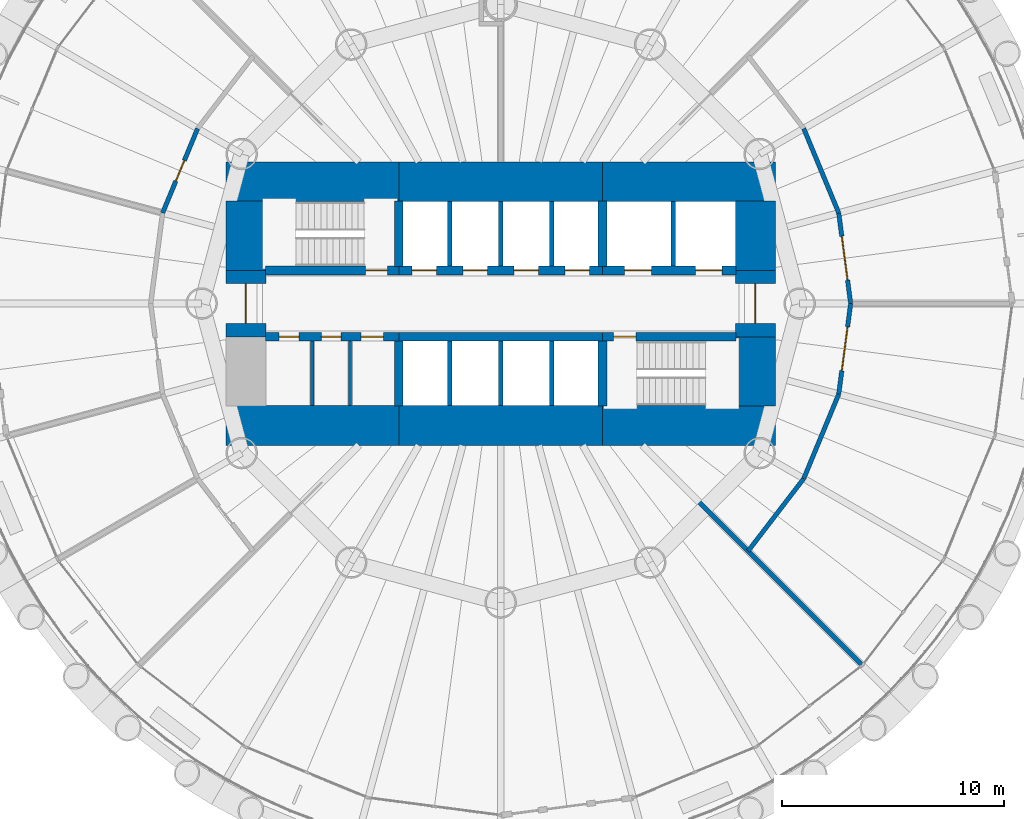
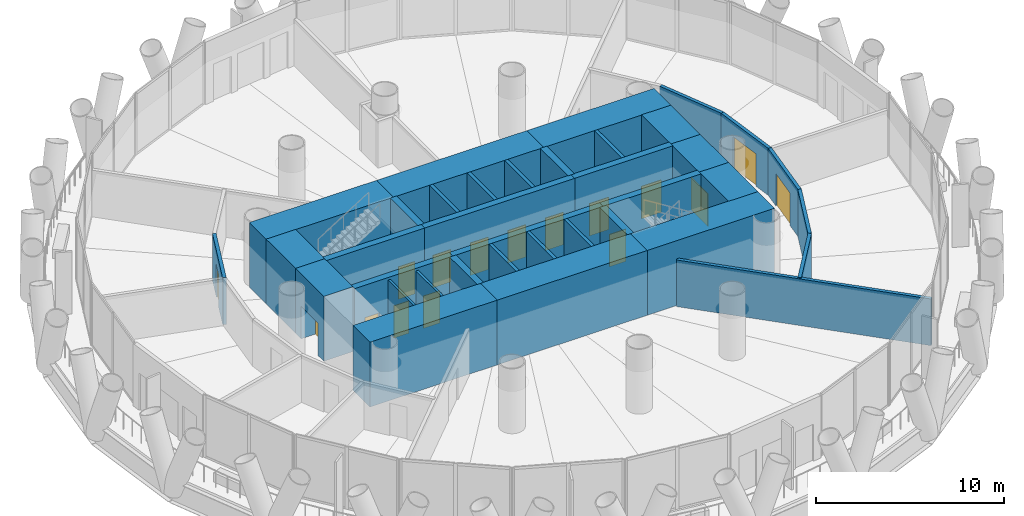
# One storey, part 9 of 14: 37 walls, 16 doors, 16 openings.
"""IFC4 building model written with IfcOpenShell, lengths in metres."""

from ifc_helpers import new_model, si_unit, direction, frame, frame_2d, origin, place, context, subcontext, project, spatial, rectangle, extrude, material, layer, layer_set, type_object, element, fill, save


model = new_model("IFC4")

# Units and contexts
model_context = context("Model", 3, precision=1e-05, world=origin(), true_north=direction((0.0, 1.0)))
body_context = subcontext(model_context, "Body", "Model", "MODEL_VIEW")
ifc_project = project(units=[si_unit("LENGTHUNIT", "METRE"), si_unit("AREAUNIT", "SQUARE_METRE"), si_unit("VOLUMEUNIT", "CUBIC_METRE"), si_unit("PLANEANGLEUNIT", "RADIAN"), si_unit("MASSUNIT", "GRAM", prefix="KILO")], contexts=[model_context])

# Site, building, storey
site_placement = place(None, origin())
site = spatial("IfcSite", under=ifc_project, at=site_placement, CompositionType="ELEMENT")
building_placement = place(site_placement, origin())
building = spatial("IfcBuilding", under=site, at=building_placement, Name="Qaws Media Tower", CompositionType="ELEMENT")
storey_placement = place(building_placement, frame((0.0, 0.0, 76.39990234375)))
storey = spatial("IfcBuildingStorey", under=building, at=storey_placement, Name="L16", CompositionType="ELEMENT", Elevation=76.39990234375)

# Wall, opening, door
ifc_material_1 = material(Name="Concrete C60/75", Category="concrete")
ifc_layer_1 = layer(ifc_material_1, 0.39990234375)
ifc_layer_set_1 = layer_set([ifc_layer_1], Name="Core inner wall 400")
wall_type_1 = type_object("IfcWallType", Name="Core inner wall 400", PredefinedType="SHEAR", material=ifc_layer_set_1)
wall_1_placement = place(storey_placement, frame((49.3798828125, 51.5, 0.0), z_axis=(0.0, 0.0, 1.0), x_axis=(1.0, 0.0, 0.0)))
wall_1 = element("IfcWall", 1, at=wall_1_placement, inside=storey, type_object=wall_type_1, Name="W311 SW4 core wall SPNW L16", PredefinedType="SHEAR", context=body_context, shape_type="SweptSolid", body=[
    extrude(rectangle(XDim=6.02001953125, YDim=0.39990234375, at=frame_2d((3.010009765625, 0.0))), origin(), (0.0, 0.0, 1.0), 4.2001953125),
])
opening_1_placement = place(wall_1_placement, frame((4.52001953125, 0.0, 0.0)))
opening_1 = element("IfcOpeningElement", 2, at=opening_1_placement, cuts=wall_1, Name="Opening D1", PredefinedType="OPENING", context=body_context, shape_type="SweptSolid", body=[
    extrude(rectangle(XDim=1.0, YDim=2.10009765625, at=frame_2d((0.5, 1.050048828125))), frame((0.0, 0.2099609375, 0.0), z_axis=(0.0, -1.0, 0.0), x_axis=(1.0, 0.0, 0.0)), (0.0, 0.0, 1.0), 0.419921875),
])
ifc_material_2 = material(Name="Steel, fire rated", Category="steel")
door_type_1 = type_object("IfcDoorType", Name="Stair door 1000 FD120", OperationType="SINGLE_SWING_LEFT", PredefinedType="DOOR", material=ifc_material_2)
door_1_placement = place(opening_1_placement, origin())
door_1 = element("IfcDoor", 3, at=door_1_placement, inside=storey, type_object=door_type_1, Name="D1 stair S1 door L16 in wall W311", OperationType="SINGLE_SWING_LEFT", OverallHeight=2.10009765625, OverallWidth=1.0, PredefinedType="DOOR", context=body_context, shape_type="SweptSolid", body=[
    extrude(rectangle(XDim=1.0, YDim=2.10009765625, at=frame_2d((0.5, 1.050048828125))), frame((0.0, 0.02490234375, 0.0), z_axis=(0.0, -1.0, 0.0), x_axis=(1.0, 0.0, 0.0)), (0.0, 0.0, 1.0), 0.050048828125),
])
fill(opening_1, door_1)

# Wall, openings, doors
wall_2_placement = place(storey_placement, frame((55.39990234375, 51.5, 0.0), z_axis=(0.0, 0.0, 1.0), x_axis=(1.0, 0.0, 0.0)))
wall_2 = element("IfcWall", 4, at=wall_2_placement, inside=storey, type_object=wall_type_1, Name="W314 SW4 core wall SPN L16", PredefinedType="SHEAR", context=body_context, shape_type="SweptSolid", body=[
    extrude(rectangle(XDim=9.2001953125, YDim=0.39990234375, at=frame_2d((4.60009765625, 0.0))), origin(), (0.0, 0.0, 1.0), 4.2001953125),
])
opening_2_placement = place(wall_2_placement, frame((0.60009765625, 0.0, 0.0)))
opening_2 = element("IfcOpeningElement", 5, at=opening_2_placement, cuts=wall_2, Name="Opening LD", PredefinedType="OPENING", context=body_context, shape_type="SweptSolid", body=[
    extrude(rectangle(XDim=1.10009765625, YDim=2.10009765625, at=frame_2d((0.550048828125, 1.050048828125))), frame((0.0, 0.2099609375, 0.0), z_axis=(0.0, -1.0, 0.0), x_axis=(1.0, 0.0, 0.0)), (0.0, 0.0, 1.0), 0.419921875),
])
opening_3_placement = place(wall_2_placement, frame((2.89990234375, 0.0, 0.0)))
opening_3 = element("IfcOpeningElement", 6, at=opening_3_placement, cuts=wall_2, Name="Opening LD", PredefinedType="OPENING", context=body_context, shape_type="SweptSolid", body=[
    extrude(rectangle(XDim=1.10009765625, YDim=2.10009765625, at=frame_2d((0.550048828125, 1.050048828125))), frame((0.0, 0.2099609375, 0.0), z_axis=(0.0, -1.0, 0.0), x_axis=(1.0, 0.0, 0.0)), (0.0, 0.0, 1.0), 0.419921875),
])
opening_4_placement = place(wall_2_placement, frame((5.199951171875, 0.0, 0.0)))
opening_4 = element("IfcOpeningElement", 7, at=opening_4_placement, cuts=wall_2, Name="Opening LD", PredefinedType="OPENING", context=body_context, shape_type="SweptSolid", body=[
    extrude(rectangle(XDim=1.10009765625, YDim=2.10009765625, at=frame_2d((0.550048828125, 1.050048828125))), frame((0.0, 0.2099609375, 0.0), z_axis=(0.0, -1.0, 0.0), x_axis=(1.0, 0.0, 0.0)), (0.0, 0.0, 1.0), 0.419921875),
])
opening_5_placement = place(wall_2_placement, frame((7.5, 0.0, 0.0)))
opening_5 = element("IfcOpeningElement", 8, at=opening_5_placement, cuts=wall_2, Name="Opening LD", PredefinedType="OPENING", context=body_context, shape_type="SweptSolid", body=[
    extrude(rectangle(XDim=1.10009765625, YDim=2.10009765625, at=frame_2d((0.550048828125, 1.050048828125))), frame((0.0, 0.2099609375, 0.0), z_axis=(0.0, -1.0, 0.0), x_axis=(1.0, 0.0, 0.0)), (0.0, 0.0, 1.0), 0.419921875),
])
ifc_material_3 = material(Name="Steel, fire rated", Category="steel")
door_type_2 = type_object("IfcDoorType", Name="Lift landing door 1100", OperationType="SLIDING_TO_LEFT", PredefinedType="DOOR", material=ifc_material_3)
door_2_placement = place(opening_2_placement, origin())
door_2 = element("IfcDoor", 9, at=door_2_placement, inside=storey, type_object=door_type_2, Name="P1 landing door L16 in wall W314", OperationType="SLIDING_TO_LEFT", OverallHeight=2.10009765625, OverallWidth=1.10009765625, PredefinedType="DOOR", context=body_context, shape_type="SweptSolid", body=[
    extrude(rectangle(XDim=1.10009765625, YDim=2.10009765625, at=frame_2d((0.550048828125, 1.050048828125))), frame((0.0, 0.02490234375, 0.0), z_axis=(0.0, -1.0, 0.0), x_axis=(1.0, 0.0, 0.0)), (0.0, 0.0, 1.0), 0.050048828125),
])
fill(opening_2, door_2)
door_3_placement = place(opening_3_placement, origin())
door_3 = element("IfcDoor", 10, at=door_3_placement, inside=storey, type_object=door_type_2, Name="P2 landing door L16 in wall W314", OperationType="SLIDING_TO_LEFT", OverallHeight=2.10009765625, OverallWidth=1.10009765625, PredefinedType="DOOR", context=body_context, shape_type="SweptSolid", body=[
    extrude(rectangle(XDim=1.10009765625, YDim=2.10009765625, at=frame_2d((0.550048828125, 1.050048828125))), frame((0.0, 0.02490234375, 0.0), z_axis=(0.0, -1.0, 0.0), x_axis=(1.0, 0.0, 0.0)), (0.0, 0.0, 1.0), 0.050048828125),
])
fill(opening_3, door_3)
door_4_placement = place(opening_4_placement, origin())
door_4 = element("IfcDoor", 11, at=door_4_placement, inside=storey, type_object=door_type_2, Name="P3 landing door L16 in wall W314", OperationType="SLIDING_TO_LEFT", OverallHeight=2.10009765625, OverallWidth=1.10009765625, PredefinedType="DOOR", context=body_context, shape_type="SweptSolid", body=[
    extrude(rectangle(XDim=1.10009765625, YDim=2.10009765625, at=frame_2d((0.550048828125, 1.050048828125))), frame((0.0, 0.02490234375, 0.0), z_axis=(0.0, -1.0, 0.0), x_axis=(1.0, 0.0, 0.0)), (0.0, 0.0, 1.0), 0.050048828125),
])
fill(opening_4, door_4)
door_5_placement = place(opening_5_placement, origin())
door_5 = element("IfcDoor", 12, at=door_5_placement, inside=storey, type_object=door_type_2, Name="P4 landing door L16 in wall W314", OperationType="SLIDING_TO_LEFT", OverallHeight=2.10009765625, OverallWidth=1.10009765625, PredefinedType="DOOR", context=body_context, shape_type="SweptSolid", body=[
    extrude(rectangle(XDim=1.10009765625, YDim=2.10009765625, at=frame_2d((0.550048828125, 1.050048828125))), frame((0.0, 0.02490234375, 0.0), z_axis=(0.0, -1.0, 0.0), x_axis=(1.0, 0.0, 0.0)), (0.0, 0.0, 1.0), 0.050048828125),
])
fill(opening_5, door_5)

wall_3_placement = place(storey_placement, frame((64.60009765625, 51.5, 0.0), z_axis=(0.0, 0.0, 1.0), x_axis=(1.0, 0.0, 0.0)))
wall_3 = element("IfcWall", 13, at=wall_3_placement, inside=storey, type_object=wall_type_1, Name="W318 SW4 core wall SPNE L16", PredefinedType="SHEAR", context=body_context, shape_type="SweptSolid", body=[
    extrude(rectangle(XDim=6.02001953125, YDim=0.39990234375, at=frame_2d((3.010009765625, 0.0))), origin(), (0.0, 0.0, 1.0), 4.2001953125),
])
opening_6_placement = place(wall_3_placement, frame((1.0, 0.0, 0.0)))
opening_6 = element("IfcOpeningElement", 14, at=opening_6_placement, cuts=wall_3, Name="Opening LD2", PredefinedType="OPENING", context=body_context, shape_type="SweptSolid", body=[
    extrude(rectangle(XDim=1.199951171875, YDim=2.10009765625, at=frame_2d((0.60009765625, 1.050048828125))), frame((0.0, 0.2099609375, 0.0), z_axis=(0.0, -1.0, 0.0), x_axis=(1.0, 0.0, 0.0)), (0.0, 0.0, 1.0), 0.419921875),
])
opening_7_placement = place(wall_3_placement, frame((4.199951171875, 0.0, 0.0)))
opening_7 = element("IfcOpeningElement", 15, at=opening_7_placement, cuts=wall_3, Name="Opening LD2", PredefinedType="OPENING", context=body_context, shape_type="SweptSolid", body=[
    extrude(rectangle(XDim=1.199951171875, YDim=2.10009765625, at=frame_2d((0.60009765625, 1.050048828125))), frame((0.0, 0.2099609375, 0.0), z_axis=(0.0, -1.0, 0.0), x_axis=(1.0, 0.0, 0.0)), (0.0, 0.0, 1.0), 0.419921875),
])
ifc_material_4 = material(Name="Steel, fire rated", Category="steel")
door_type_3 = type_object("IfcDoorType", Name="Lift landing door 1200", OperationType="SLIDING_TO_LEFT", PredefinedType="DOOR", material=ifc_material_4)
door_6_placement = place(opening_6_placement, origin())
door_6 = element("IfcDoor", 16, at=door_6_placement, inside=storey, type_object=door_type_3, Name="FL1 landing door L16 in wall W318", OperationType="SLIDING_TO_LEFT", OverallHeight=2.10009765625, OverallWidth=1.199951171875, PredefinedType="DOOR", context=body_context, shape_type="SweptSolid", body=[
    extrude(rectangle(XDim=1.199951171875, YDim=2.10009765625, at=frame_2d((0.60009765625, 1.050048828125))), frame((0.0, 0.02490234375, 0.0), z_axis=(0.0, -1.0, 0.0), x_axis=(1.0, 0.0, 0.0)), (0.0, 0.0, 1.0), 0.050048828125),
])
fill(opening_6, door_6)
door_7_placement = place(opening_7_placement, origin())
door_7 = element("IfcDoor", 17, at=door_7_placement, inside=storey, type_object=door_type_3, Name="FL2 landing door L16 in wall W318", OperationType="SLIDING_TO_LEFT", OverallHeight=2.10009765625, OverallWidth=1.199951171875, PredefinedType="DOOR", context=body_context, shape_type="SweptSolid", body=[
    extrude(rectangle(XDim=1.199951171875, YDim=2.10009765625, at=frame_2d((0.60009765625, 1.050048828125))), frame((0.0, 0.02490234375, 0.0), z_axis=(0.0, -1.0, 0.0), x_axis=(1.0, 0.0, 0.0)), (0.0, 0.0, 1.0), 0.050048828125),
])
fill(opening_7, door_7)

wall_4_placement = place(storey_placement, frame((49.3798828125, 48.5, 0.0), z_axis=(0.0, 0.0, 1.0), x_axis=(1.0, 0.0, 0.0)))
wall_4 = element("IfcWall", 18, at=wall_4_placement, inside=storey, type_object=wall_type_1, Name="W310 SW4 core wall SPSW L16", PredefinedType="SHEAR", context=body_context, shape_type="SweptSolid", body=[
    extrude(rectangle(XDim=6.02001953125, YDim=0.39990234375, at=frame_2d((3.010009765625, 0.0))), origin(), (0.0, 0.0, 1.0), 4.2001953125),
])
opening_8_placement = place(wall_4_placement, frame((0.6201171875, 0.0, 0.0)))
opening_8 = element("IfcOpeningElement", 19, at=opening_8_placement, cuts=wall_4, Name="Opening D3", PredefinedType="OPENING", context=body_context, shape_type="SweptSolid", body=[
    extrude(rectangle(XDim=0.89990234375, YDim=2.10009765625, at=frame_2d((0.449951171875, 1.050048828125))), frame((0.0, 0.2099609375, 0.0), z_axis=(0.0, -1.0, 0.0), x_axis=(1.0, 0.0, 0.0)), (0.0, 0.0, 1.0), 0.419921875),
])
opening_9_placement = place(wall_4_placement, frame((2.52001953125, 0.0, 0.0)))
opening_9 = element("IfcOpeningElement", 20, at=opening_9_placement, cuts=wall_4, Name="Opening D3", PredefinedType="OPENING", context=body_context, shape_type="SweptSolid", body=[
    extrude(rectangle(XDim=0.89990234375, YDim=2.10009765625, at=frame_2d((0.449951171875, 1.050048828125))), frame((0.0, 0.2099609375, 0.0), z_axis=(0.0, -1.0, 0.0), x_axis=(1.0, 0.0, 0.0)), (0.0, 0.0, 1.0), 0.419921875),
])
opening_10_placement = place(wall_4_placement, frame((4.320068359375, 0.0, 0.0)))
opening_10 = element("IfcOpeningElement", 21, at=opening_10_placement, cuts=wall_4, Name="Opening D4", PredefinedType="OPENING", context=body_context, shape_type="SweptSolid", body=[
    extrude(rectangle(XDim=1.0, YDim=2.10009765625, at=frame_2d((0.5, 1.050048828125))), frame((0.0, 0.2099609375, 0.0), z_axis=(0.0, -1.0, 0.0), x_axis=(1.0, 0.0, 0.0)), (0.0, 0.0, 1.0), 0.419921875),
])
ifc_material_5 = material(Name="Timber veneered", Category="wood")
door_type_4 = type_object("IfcDoorType", Name="Accessible WC door 1000", OperationType="SLIDING_TO_LEFT", PredefinedType="DOOR", material=ifc_material_5)
door_8_placement = place(opening_10_placement, origin())
door_8 = element("IfcDoor", 22, at=door_8_placement, inside=storey, type_object=door_type_4, Name="D4 toilet door 3 L16 in wall W310", OperationType="SLIDING_TO_LEFT", OverallHeight=2.10009765625, OverallWidth=1.0, PredefinedType="DOOR", context=body_context, shape_type="SweptSolid", body=[
    extrude(rectangle(XDim=1.0, YDim=2.10009765625, at=frame_2d((0.5, 1.050048828125))), frame((0.0, 0.02490234375, 0.0), z_axis=(0.0, -1.0, 0.0), x_axis=(1.0, 0.0, 0.0)), (0.0, 0.0, 1.0), 0.050048828125),
])
fill(opening_10, door_8)
ifc_material_6 = material(Name="Timber veneered", Category="wood")
door_type_5 = type_object("IfcDoorType", Name="Toilet door 900", OperationType="SINGLE_SWING_RIGHT", PredefinedType="DOOR", material=ifc_material_6)
door_9_placement = place(opening_8_placement, origin())
door_9 = element("IfcDoor", 23, at=door_9_placement, inside=storey, type_object=door_type_5, Name="D3 toilet door 1 L16 in wall W310", OperationType="SINGLE_SWING_RIGHT", OverallHeight=2.10009765625, OverallWidth=0.89990234375, PredefinedType="DOOR", context=body_context, shape_type="SweptSolid", body=[
    extrude(rectangle(XDim=0.89990234375, YDim=2.10009765625, at=frame_2d((0.449951171875, 1.050048828125))), frame((0.0, 0.02490234375, 0.0), z_axis=(0.0, -1.0, 0.0), x_axis=(1.0, 0.0, 0.0)), (0.0, 0.0, 1.0), 0.050048828125),
])
fill(opening_8, door_9)
door_10_placement = place(opening_9_placement, origin())
door_10 = element("IfcDoor", 24, at=door_10_placement, inside=storey, type_object=door_type_5, Name="D3 toilet door 2 L16 in wall W310", OperationType="SINGLE_SWING_RIGHT", OverallHeight=2.10009765625, OverallWidth=0.89990234375, PredefinedType="DOOR", context=body_context, shape_type="SweptSolid", body=[
    extrude(rectangle(XDim=0.89990234375, YDim=2.10009765625, at=frame_2d((0.449951171875, 1.050048828125))), frame((0.0, 0.02490234375, 0.0), z_axis=(0.0, -1.0, 0.0), x_axis=(1.0, 0.0, 0.0)), (0.0, 0.0, 1.0), 0.050048828125),
])
fill(opening_9, door_10)

# Wall
wall_5_placement = place(storey_placement, frame((55.39990234375, 48.5, 0.0), z_axis=(0.0, 0.0, 1.0), x_axis=(1.0, 0.0, 0.0)))
element("IfcWall", 25, at=wall_5_placement, inside=storey, type_object=wall_type_1, Name="W313 SW4 core wall SPS L16", PredefinedType="SHEAR", context=body_context, shape_type="SweptSolid", body=[
    extrude(rectangle(XDim=9.2001953125, YDim=0.39990234375, at=frame_2d((4.60009765625, 0.0))), origin(), (0.0, 0.0, 1.0), 4.2001953125),
])

# Wall, opening, door
wall_6_placement = place(storey_placement, frame((64.60009765625, 48.5, 0.0), z_axis=(0.0, 0.0, 1.0), x_axis=(1.0, 0.0, 0.0)))
wall_6 = element("IfcWall", 26, at=wall_6_placement, inside=storey, type_object=wall_type_1, Name="W317 SW4 core wall SPSE L16", PredefinedType="SHEAR", context=body_context, shape_type="SweptSolid", body=[
    extrude(rectangle(XDim=6.02001953125, YDim=0.39990234375, at=frame_2d((3.010009765625, 0.0))), origin(), (0.0, 0.0, 1.0), 4.2001953125),
])
opening_11_placement = place(wall_6_placement, frame((0.5, 0.0, 0.0)))
opening_11 = element("IfcOpeningElement", 27, at=opening_11_placement, cuts=wall_6, Name="Opening D1", PredefinedType="OPENING", context=body_context, shape_type="SweptSolid", body=[
    extrude(rectangle(XDim=1.0, YDim=2.10009765625, at=frame_2d((0.5, 1.050048828125))), frame((0.0, 0.2099609375, 0.0), z_axis=(0.0, -1.0, 0.0), x_axis=(1.0, 0.0, 0.0)), (0.0, 0.0, 1.0), 0.419921875),
])
door_11_placement = place(opening_11_placement, origin())
door_11 = element("IfcDoor", 28, at=door_11_placement, inside=storey, type_object=door_type_1, Name="D1 stair S2 door L16 in wall W317", OperationType="SINGLE_SWING_LEFT", OverallHeight=2.10009765625, OverallWidth=1.0, PredefinedType="DOOR", context=body_context, shape_type="SweptSolid", body=[
    extrude(rectangle(XDim=1.0, YDim=2.10009765625, at=frame_2d((0.5, 1.050048828125))), frame((0.0, 0.02490234375, 0.0), z_axis=(0.0, -1.0, 0.0), x_axis=(1.0, 0.0, 0.0)), (0.0, 0.0, 1.0), 0.050048828125),
])
fill(opening_11, door_11)

# Walls
for number, where, z_axis, x_axis, name in (
    (29, (55.39990234375, 51.679931640625, 0.0), (0.0, 0.0, 1.0), (0.0, 1.0, 0.0), "W315 SW4 core wall XNW L16"),
    (30, (64.60009765625, 51.679931640625, 0.0), (0.0, 0.0, 1.0), (0.0, 1.0, 0.0), "W319 SW4 core wall XNE L16"),
    (31, (55.39990234375, 48.320068359375, 0.0), (0.0, 0.0, 1.0), (0.0, -1.0, 0.0), "W312 SW4 core wall XSW L16"),
    (32, (64.60009765625, 48.320068359375, 0.0), (0.0, 0.0, 1.0), (0.0, -1.0, 0.0), "W316 SW4 core wall XSE L16"),
):
    element("IfcWall", number, at=place(storey_placement, frame(where, z_axis=z_axis, x_axis=x_axis)), inside=storey, type_object=wall_type_1, Name=name, PredefinedType="SHEAR", context=body_context, shape_type="SweptSolid", body=[
        extrude(rectangle(XDim=2.940185546875, YDim=0.39990234375, at=frame_2d((1.47021484375, 0.0))), origin(), (0.0, 0.0, 1.0), 4.2001953125),
    ])
ifc_material_7 = material(Name="Concrete C60/75", Category="concrete")
ifc_layer_2 = layer(ifc_material_7, 1.800048828125)
ifc_layer_set_2 = layer_set([ifc_layer_2], Name="Core wall 1800")
wall_type_2 = type_object("IfcWallType", Name="Core wall 1800", PredefinedType="SHEAR", material=ifc_layer_set_2)
wall_7_placement = place(storey_placement, frame((47.60009765625, 55.5, 0.0), z_axis=(0.0, 0.0, 1.0), x_axis=(1.0, 0.0, 0.0)))
element("IfcWall", 33, at=wall_7_placement, inside=storey, type_object=wall_type_2, Name="W399 SW11 core wall NW L16", PredefinedType="SHEAR", context=body_context, shape_type="SweptSolid", body=[
    extrude(rectangle(XDim=7.7998046875, YDim=1.800048828125, at=frame_2d((3.89990234375, 0.0))), origin(), (0.0, 0.0, 1.0), 4.2001953125),
])
wall_8_placement = place(storey_placement, frame((55.39990234375, 55.5, 0.0), z_axis=(0.0, 0.0, 1.0), x_axis=(1.0, 0.0, 0.0)))
element("IfcWall", 34, at=wall_8_placement, inside=storey, type_object=wall_type_2, Name="W404 SW11 core wall N L16", PredefinedType="SHEAR", context=body_context, shape_type="SweptSolid", body=[
    extrude(rectangle(XDim=9.2001953125, YDim=1.800048828125, at=frame_2d((4.60009765625, 0.0))), origin(), (0.0, 0.0, 1.0), 4.2001953125),
])
for number, where, z_axis, x_axis, name in (
    (35, (64.60009765625, 55.5, 0.0), (0.0, 0.0, 1.0), (1.0, 0.0, 0.0), "W406 SW11 core wall NE L16"),
    (36, (47.60009765625, 44.5, 0.0), (0.0, 0.0, 1.0), (1.0, 0.0, 0.0), "W398 SW11 core wall SW L16"),
):
    element("IfcWall", number, at=place(storey_placement, frame(where, z_axis=z_axis, x_axis=x_axis)), inside=storey, type_object=wall_type_2, Name=name, PredefinedType="SHEAR", context=body_context, shape_type="SweptSolid", body=[
        extrude(rectangle(XDim=7.7998046875, YDim=1.800048828125, at=frame_2d((3.89990234375, 0.0))), origin(), (0.0, 0.0, 1.0), 4.2001953125),
    ])
wall_9_placement = place(storey_placement, frame((55.39990234375, 44.5, 0.0), z_axis=(0.0, 0.0, 1.0), x_axis=(1.0, 0.0, 0.0)))
element("IfcWall", 37, at=wall_9_placement, inside=storey, type_object=wall_type_2, Name="W403 SW11 core wall S L16", PredefinedType="SHEAR", context=body_context, shape_type="SweptSolid", body=[
    extrude(rectangle(XDim=9.2001953125, YDim=1.800048828125, at=frame_2d((4.60009765625, 0.0))), origin(), (0.0, 0.0, 1.0), 4.2001953125),
])
wall_10_placement = place(storey_placement, frame((64.60009765625, 44.5, 0.0), z_axis=(0.0, 0.0, 1.0), x_axis=(1.0, 0.0, 0.0)))
element("IfcWall", 38, at=wall_10_placement, inside=storey, type_object=wall_type_2, Name="W405 SW11 core wall SE L16", PredefinedType="SHEAR", context=body_context, shape_type="SweptSolid", body=[
    extrude(rectangle(XDim=7.7998046875, YDim=1.800048828125, at=frame_2d((3.89990234375, 0.0))), origin(), (0.0, 0.0, 1.0), 4.2001953125),
])
wall_11_placement = place(storey_placement, frame((71.5, 45.3798828125, 0.0), z_axis=(0.0, 0.0, 1.0), x_axis=(0.0, 1.0, 0.0)))
element("IfcWall", 39, at=wall_11_placement, inside=storey, type_object=wall_type_2, Name="W407 SW11 core wall ES L16", PredefinedType="SHEAR", context=body_context, shape_type="SweptSolid", body=[
    extrude(rectangle(XDim=3.1201171875, YDim=1.800048828125, at=frame_2d((1.56005859375, 0.0))), origin(), (0.0, 0.0, 1.0), 4.2001953125),
])

# Wall, opening, door
wall_12_placement = place(storey_placement, frame((71.5, 48.5, 0.0), z_axis=(0.0, 0.0, 1.0), x_axis=(0.0, 1.0, 0.0)))
wall_12 = element("IfcWall", 40, at=wall_12_placement, inside=storey, type_object=wall_type_2, Name="W408 SW11 core wall E L16", PredefinedType="SHEAR", context=body_context, shape_type="SweptSolid", body=[
    extrude(rectangle(XDim=3.0, YDim=1.800048828125, at=frame_2d((1.5, 0.0))), origin(), (0.0, 0.0, 1.0), 4.2001953125),
])
opening_12_placement = place(wall_12_placement, frame((0.60009765625, 0.0, 0.0)))
opening_12 = element("IfcOpeningElement", 41, at=opening_12_placement, cuts=wall_12, Name="Opening D2", PredefinedType="OPENING", context=body_context, shape_type="SweptSolid", body=[
    extrude(rectangle(XDim=1.800048828125, YDim=2.10009765625, at=frame_2d((0.89990234375, 1.050048828125))), frame((0.0, 0.909912109375, 0.0), z_axis=(0.0, -1.0, 0.0), x_axis=(1.0, 0.0, 0.0)), (0.0, 0.0, 1.0), 1.820068359375),
])
ifc_material_8 = material(Name="Steel and glass, fire rated", Category="steel")
door_type_6 = type_object("IfcDoorType", Name="Lobby door pair 1800 FD60", OperationType="DOUBLE_DOOR_DOUBLE_SWING", PredefinedType="DOOR", material=ifc_material_8)
door_12_placement = place(opening_12_placement, origin())
door_12 = element("IfcDoor", 42, at=door_12_placement, inside=storey, type_object=door_type_6, Name="D2 core lobby door E L16 in wall W408", OperationType="DOUBLE_DOOR_DOUBLE_SWING", OverallHeight=2.10009765625, OverallWidth=1.800048828125, PredefinedType="DOOR", context=body_context, shape_type="SweptSolid", body=[
    extrude(rectangle(XDim=1.800048828125, YDim=2.10009765625, at=frame_2d((0.89990234375, 1.050048828125))), frame((0.0, 0.02490234375, 0.0), z_axis=(0.0, -1.0, 0.0), x_axis=(1.0, 0.0, 0.0)), (0.0, 0.0, 1.0), 0.050048828125),
])
fill(opening_12, door_12)

# Wall
wall_13_placement = place(storey_placement, frame((71.5, 51.5, 0.0), z_axis=(0.0, 0.0, 1.0), x_axis=(0.0, 1.0, 0.0)))
element("IfcWall", 43, at=wall_13_placement, inside=storey, type_object=wall_type_2, Name="W409 SW11 core wall EN L16", PredefinedType="SHEAR", context=body_context, shape_type="SweptSolid", body=[
    extrude(rectangle(XDim=3.1201171875, YDim=1.800048828125, at=frame_2d((1.56005859375, 0.0))), origin(), (0.0, 0.0, 1.0), 4.2001953125),
])

# Wall, opening, door
wall_14_placement = place(storey_placement, frame((48.5, 48.5, 0.0), z_axis=(0.0, 0.0, 1.0), x_axis=(0.0, 1.0, 0.0)))
wall_14 = element("IfcWall", 44, at=wall_14_placement, inside=storey, type_object=wall_type_2, Name="W401 SW11 core wall W L16", PredefinedType="SHEAR", context=body_context, shape_type="SweptSolid", body=[
    extrude(rectangle(XDim=3.0, YDim=1.800048828125, at=frame_2d((1.5, 0.0))), origin(), (0.0, 0.0, 1.0), 4.2001953125),
])
opening_13_placement = place(wall_14_placement, frame((0.60009765625, 0.0, 0.0)))
opening_13 = element("IfcOpeningElement", 45, at=opening_13_placement, cuts=wall_14, Name="Opening D2", PredefinedType="OPENING", context=body_context, shape_type="SweptSolid", body=[
    extrude(rectangle(XDim=1.800048828125, YDim=2.10009765625, at=frame_2d((0.89990234375, 1.050048828125))), frame((0.0, 0.909912109375, 0.0), z_axis=(0.0, -1.0, 0.0), x_axis=(1.0, 0.0, 0.0)), (0.0, 0.0, 1.0), 1.820068359375),
])
door_13_placement = place(opening_13_placement, origin())
door_13 = element("IfcDoor", 46, at=door_13_placement, inside=storey, type_object=door_type_6, Name="D2 core lobby door W L16 in wall W401", OperationType="DOUBLE_DOOR_DOUBLE_SWING", OverallHeight=2.10009765625, OverallWidth=1.800048828125, PredefinedType="DOOR", context=body_context, shape_type="SweptSolid", body=[
    extrude(rectangle(XDim=1.800048828125, YDim=2.10009765625, at=frame_2d((0.89990234375, 1.050048828125))), frame((0.0, 0.02490234375, 0.0), z_axis=(0.0, -1.0, 0.0), x_axis=(1.0, 0.0, 0.0)), (0.0, 0.0, 1.0), 0.050048828125),
])
fill(opening_13, door_13)

# Wall
wall_15_placement = place(storey_placement, frame((48.5, 51.5, 0.0), z_axis=(0.0, 0.0, 1.0), x_axis=(0.0, 1.0, 0.0)))
element("IfcWall", 47, at=wall_15_placement, inside=storey, type_object=wall_type_2, Name="W402 SW11 core wall WN L16", PredefinedType="SHEAR", context=body_context, shape_type="SweptSolid", body=[
    extrude(rectangle(XDim=3.1201171875, YDim=1.800048828125, at=frame_2d((1.56005859375, 0.0))), origin(), (0.0, 0.0, 1.0), 4.2001953125),
])

# Wall, opening, door
ifc_material_9 = material(Name="Gypsum board on galvanised metal studs, acoustic double stud, deflection head", Category="gypsum")
ifc_layer_3 = layer(ifc_material_9, 0.199951171875)
ifc_layer_set_3 = layer_set([ifc_layer_3], Name="Room partition 200")
wall_type_3 = type_object("IfcWallType", Name="Room partition 200", PredefinedType="PARTITIONING", material=ifc_layer_set_3)
wall_16_placement = place(storey_placement, frame((44.73828125, 54.08935546875, 0.0), z_axis=(0.0, 0.0, 1.0), x_axis=(0.382731667114, 0.923859551549, 0.0)))
wall_16 = element("IfcWall", 48, at=wall_16_placement, inside=storey, type_object=wall_type_3, Name="W944 IW3 partition L16", PredefinedType="PARTITIONING", context=body_context, shape_type="SweptSolid", body=[
    extrude(rectangle(XDim=4.12451171875, YDim=0.199951171875, at=frame_2d((2.062255859375, 0.0))), origin(), (0.0, 0.0, 1.0), 3.0400390625),
])
opening_14_placement = place(wall_16_placement, frame((1.562255859375, 0.0, 0.0)))
opening_14 = element("IfcOpeningElement", 49, at=opening_14_placement, cuts=wall_16, Name="Opening D5", PredefinedType="OPENING", context=body_context, shape_type="SweptSolid", body=[
    extrude(rectangle(XDim=1.0, YDim=2.10009765625, at=frame_2d((0.5, 1.050048828125))), frame((0.0, 0.10986328125, 0.0), z_axis=(0.0, -1.0, 0.0), x_axis=(1.0, 0.0, 0.0)), (0.0, 0.0, 1.0), 0.219970703125),
])
ifc_material_10 = material(Name="Timber veneered, acoustic seal", Category="wood")
door_type_7 = type_object("IfcDoorType", Name="Room door 1000", OperationType="SINGLE_SWING_LEFT", PredefinedType="DOOR", material=ifc_material_10)
door_14_placement = place(opening_14_placement, origin())
door_14 = element("IfcDoor", 50, at=door_14_placement, inside=storey, type_object=door_type_7, Name="D5 Graphics studio door L16 in wall W944", OperationType="SINGLE_SWING_LEFT", OverallHeight=2.10009765625, OverallWidth=1.0, PredefinedType="DOOR", context=body_context, shape_type="SweptSolid", body=[
    extrude(rectangle(XDim=1.0, YDim=2.10009765625, at=frame_2d((0.5, 1.050048828125))), frame((0.0, 0.02490234375, 0.0), z_axis=(0.0, -1.0, 0.0), x_axis=(1.0, 0.0, 0.0)), (0.0, 0.0, 1.0), 0.050048828125),
])
fill(opening_14, door_14)

# Wall
wall_17_placement = place(storey_placement, frame((73.68310546875, 57.89990234375, 0.0), z_axis=(0.0, 0.0, 1.0), x_axis=(0.382731667114, -0.923859551549, 0.0)))
element("IfcWall", 51, at=wall_17_placement, inside=storey, type_object=wall_type_3, Name="W956 IW3 partition L16", PredefinedType="PARTITIONING", context=body_context, shape_type="SweptSolid", body=[
    extrude(rectangle(XDim=4.12451171875, YDim=0.199951171875, at=frame_2d((2.062255859375, 0.0))), origin(), (0.0, 0.0, 1.0), 3.0400390625),
])

# Wall, opening, door
wall_18_placement = place(storey_placement, frame((75.26171875, 54.08935546875, 0.0), z_axis=(0.0, 0.0, 1.0), x_axis=(0.130515758099, -0.991446234996, 0.0)))
wall_18 = element("IfcWall", 52, at=wall_18_placement, inside=storey, type_object=wall_type_3, Name="W958 IW3 partition L16", PredefinedType="PARTITIONING", context=body_context, shape_type="SweptSolid", body=[
    extrude(rectangle(XDim=4.124755859375, YDim=0.199951171875, at=frame_2d((2.0625, 0.0))), origin(), (0.0, 0.0, 1.0), 3.0400390625),
])
opening_15_placement = place(wall_18_placement, frame((1.062255859375, 0.0, 0.0)))
opening_15 = element("IfcOpeningElement", 53, at=opening_15_placement, cuts=wall_18, Name="Opening D6", PredefinedType="OPENING", context=body_context, shape_type="SweptSolid", body=[
    extrude(rectangle(XDim=2.0, YDim=2.10009765625, at=frame_2d((1.0, 1.050048828125))), frame((0.0, 0.10986328125, 0.0), z_axis=(0.0, -1.0, 0.0), x_axis=(1.0, 0.0, 0.0)), (0.0, 0.0, 1.0), 0.219970703125),
])
ifc_material_11 = material(Name="Steel, acoustic, fire rated", Category="steel")
door_type_8 = type_object("IfcDoorType", Name="Room door pair 2000", OperationType="DOUBLE_DOOR_DOUBLE_SWING", PredefinedType="DOOR", material=ifc_material_11)
door_15_placement = place(opening_15_placement, origin())
door_15 = element("IfcDoor", 54, at=door_15_placement, inside=storey, type_object=door_type_8, Name="D6 Digital desk door L16 in wall W958", OperationType="DOUBLE_DOOR_DOUBLE_SWING", OverallHeight=2.10009765625, OverallWidth=2.0, PredefinedType="DOOR", context=body_context, shape_type="SweptSolid", body=[
    extrude(rectangle(XDim=2.0, YDim=2.10009765625, at=frame_2d((1.0, 1.050048828125))), frame((0.0, 0.02490234375, 0.0), z_axis=(0.0, -1.0, 0.0), x_axis=(1.0, 0.0, 0.0)), (0.0, 0.0, 1.0), 0.050048828125),
])
fill(opening_15, door_15)

wall_19_placement = place(storey_placement, frame((75.800048828125, 50.0, 0.0), z_axis=(0.0, 0.0, 1.0), x_axis=(-0.130515758099, -0.991446234996, 0.0)))
wall_19 = element("IfcWall", 55, at=wall_19_placement, inside=storey, type_object=wall_type_3, Name="W959 IW3 partition L16", PredefinedType="PARTITIONING", context=body_context, shape_type="SweptSolid", body=[
    extrude(rectangle(XDim=4.124755859375, YDim=0.199951171875, at=frame_2d((2.0625, 0.0))), origin(), (0.0, 0.0, 1.0), 3.0400390625),
])
opening_16_placement = place(wall_19_placement, frame((1.062255859375, 0.0, 0.0)))
opening_16 = element("IfcOpeningElement", 56, at=opening_16_placement, cuts=wall_19, Name="Opening D6", PredefinedType="OPENING", context=body_context, shape_type="SweptSolid", body=[
    extrude(rectangle(XDim=2.0, YDim=2.10009765625, at=frame_2d((1.0, 1.050048828125))), frame((0.0, 0.10986328125, 0.0), z_axis=(0.0, -1.0, 0.0), x_axis=(1.0, 0.0, 0.0)), (0.0, 0.0, 1.0), 0.219970703125),
])
door_16_placement = place(opening_16_placement, origin())
door_16 = element("IfcDoor", 57, at=door_16_placement, inside=storey, type_object=door_type_8, Name="D6 Media lab door L16 in wall W959", OperationType="DOUBLE_DOOR_DOUBLE_SWING", OverallHeight=2.10009765625, OverallWidth=2.0, PredefinedType="DOOR", context=body_context, shape_type="SweptSolid", body=[
    extrude(rectangle(XDim=2.0, YDim=2.10009765625, at=frame_2d((1.0, 1.050048828125))), frame((0.0, 0.02490234375, 0.0), z_axis=(0.0, -1.0, 0.0), x_axis=(1.0, 0.0, 0.0)), (0.0, 0.0, 1.0), 0.050048828125),
])
fill(opening_16, door_16)

# Walls
wall_20_placement = place(storey_placement, frame((75.26171875, 45.91064453125, 0.0), z_axis=(0.0, 0.0, 1.0), x_axis=(-0.382731667114, -0.923859551549, 0.0)))
element("IfcWall", 58, at=wall_20_placement, inside=storey, type_object=wall_type_3, Name="W957 IW3 partition L16", PredefinedType="PARTITIONING", context=body_context, shape_type="SweptSolid", body=[
    extrude(rectangle(XDim=4.12451171875, YDim=0.199951171875, at=frame_2d((2.062255859375, 0.0))), origin(), (0.0, 0.0, 1.0), 3.0400390625),
])
wall_21_placement = place(storey_placement, frame((73.68310546875, 42.10009765625, 0.0), z_axis=(0.0, 0.0, 1.0), x_axis=(-0.608714823874, -0.793389099494, 0.0)))
element("IfcWall", 59, at=wall_21_placement, inside=storey, type_object=wall_type_3, Name="W954 IW3 partition L16", PredefinedType="PARTITIONING", context=body_context, shape_type="SweptSolid", body=[
    extrude(rectangle(XDim=4.124755859375, YDim=0.199951171875, at=frame_2d((2.0625, 0.0))), origin(), (0.0, 0.0, 1.0), 3.0400390625),
])
wall_22_placement = place(storey_placement, frame((66.39990234375, 43.60009765625, 0.0), z_axis=(0.0, 0.0, 1.0), x_axis=(0.707106781187, -0.707106781187, 0.0)))
element("IfcWall", 60, at=wall_22_placement, inside=storey, type_object=wall_type_3, Name="W1095 IW3 partition L16", PredefinedType="PARTITIONING", context=body_context, shape_type="SweptSolid", body=[
    extrude(rectangle(XDim=14.00927734375, YDim=0.199951171875, at=frame_2d((7.004638671875, 0.0))), origin(), (0.0, 0.0, 1.0), 3.02001953125),
])
ifc_material_12 = material(Name="Fire-rated gypsum board shaft wall on galvanised metal studs, deflection head", Category="gypsum")
ifc_layer_4 = layer(ifc_material_12, 0.199951171875)
ifc_layer_set_4 = layer_set([ifc_layer_4], Name="Shaft wall 200")
wall_type_4 = type_object("IfcWallType", Name="Shaft wall 200", PredefinedType="PARTITIONING", material=ifc_layer_set_4)
for number, where, z_axis, x_axis, name in (
    (61, (57.699951171875, 51.699951171875, 0.0), (0.0, 0.0, 1.0), (0.0, 1.0, 0.0), "W1842 IW1 shaft wall N1 L16"),
    (62, (60.0, 51.699951171875, 0.0), (0.0, 0.0, 1.0), (0.0, 1.0, 0.0), "W1843 IW1 shaft wall N2 L16"),
    (63, (62.300048828125, 51.699951171875, 0.0), (0.0, 0.0, 1.0), (0.0, 1.0, 0.0), "W1844 IW1 shaft wall N3 L16"),
    (64, (57.699951171875, 45.39990234375, 0.0), (0.0, 0.0, 1.0), (0.0, 1.0, 0.0), "W1835 IW1 shaft wall S1 L16"),
    (65, (60.0, 45.39990234375, 0.0), (0.0, 0.0, 1.0), (0.0, 1.0, 0.0), "W1837 IW1 shaft wall S2 L16"),
    (66, (62.300048828125, 45.39990234375, 0.0), (0.0, 0.0, 1.0), (0.0, 1.0, 0.0), "W1839 IW1 shaft wall S3 L16"),
    (67, (67.800048828125, 51.699951171875, 0.0), (0.0, 0.0, 1.0), (0.0, 1.0, 0.0), "W1845 IW1 shaft wall FL L16"),
):
    element("IfcWall", number, at=place(storey_placement, frame(where, z_axis=z_axis, x_axis=x_axis)), inside=storey, type_object=wall_type_4, Name=name, PredefinedType="PARTITIONING", context=body_context, shape_type="SweptSolid", body=[
        extrude(rectangle(XDim=2.900146484375, YDim=0.199951171875, at=frame_2d((1.4501953125, 0.0))), origin(), (0.0, 0.0, 1.0), 4.2001953125),
    ])
ifc_material_13 = material(Name="Gypsum board on galvanised metal studs, deflection head", Category="gypsum")
ifc_layer_5 = layer(ifc_material_13, 0.14990234375)
ifc_layer_set_5 = layer_set([ifc_layer_5], Name="WC partition 150")
wall_type_5 = type_object("IfcWallType", Name="WC partition 150", PredefinedType="PARTITIONING", material=ifc_layer_set_5)
for number, where, z_axis, x_axis, name in (
    (68, (51.5, 45.39990234375, 0.0), (0.0, 0.0, 1.0), (0.0, 1.0, 0.0), "W1900 IW2 toilet partition 1 L16"),
    (69, (53.199951171875, 45.39990234375, 0.0), (0.0, 0.0, 1.0), (0.0, 1.0, 0.0), "W1901 IW2 toilet partition 2 L16"),
):
    element("IfcWall", number, at=place(storey_placement, frame(where, z_axis=z_axis, x_axis=x_axis)), inside=storey, type_object=wall_type_5, Name=name, PredefinedType="PARTITIONING", context=body_context, shape_type="SweptSolid", body=[
        extrude(rectangle(XDim=2.900146484375, YDim=0.14990234375, at=frame_2d((1.4501953125, 0.0))), origin(), (0.0, 0.0, 1.0), 4.0400390625),
    ])

save(model, "model.ifc")
